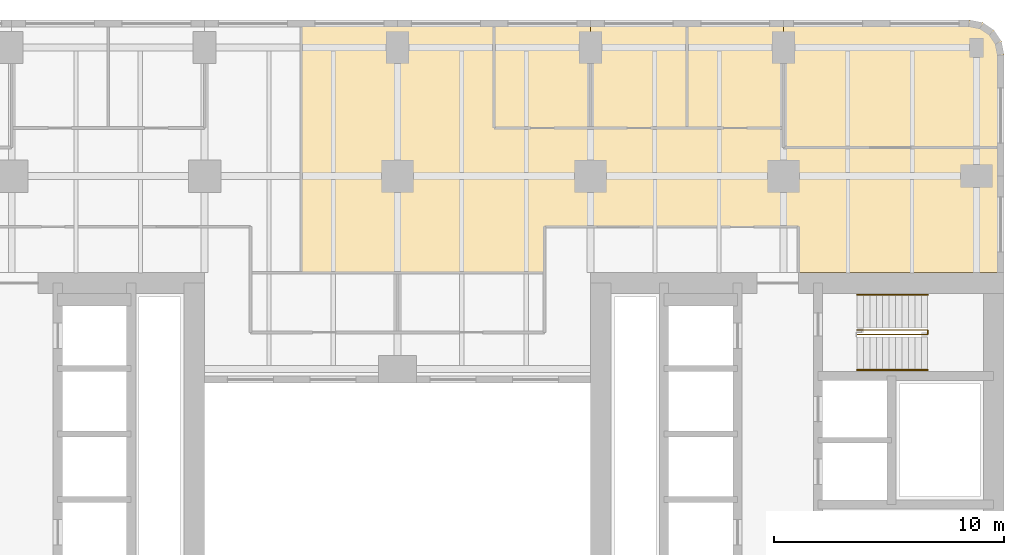
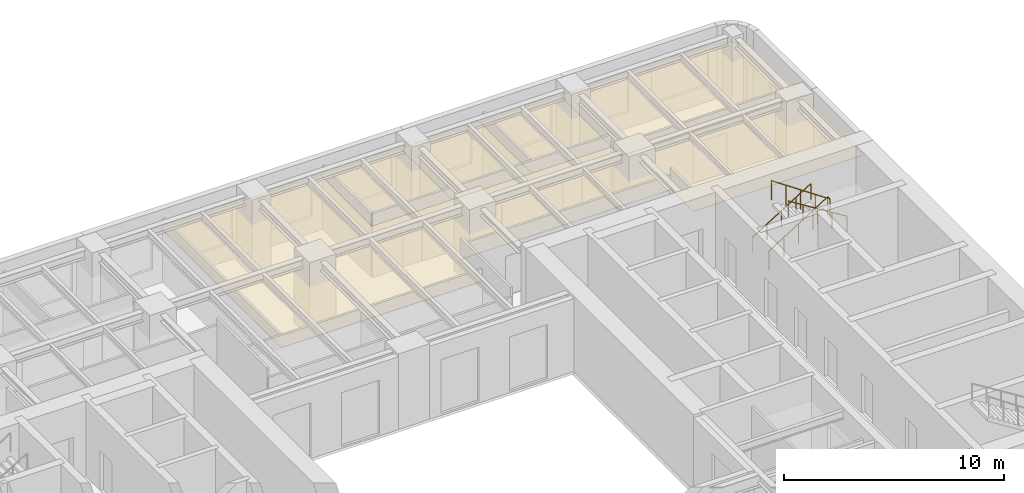
# One storey, part 11 of 11: 5 coverings, 3 railings.
"""IFC4 building model written with IfcOpenShell, lengths in metres."""

from ifc_helpers import new_model, si_unit, direction, frame, origin, origin_2d, place, context, subcontext, project, spatial, polyline, circle, outline, extrude, material, layer, layer_set, type_object, element, save


model = new_model("IFC4")

# Units and contexts
model_context = context("Model", 3, precision=1e-05, world=origin(), true_north=direction((0.0, 1.0)))
body_context = subcontext(model_context, "Body", "Model", "MODEL_VIEW")
ifc_project = project(units=[si_unit("LENGTHUNIT", "METRE"), si_unit("AREAUNIT", "SQUARE_METRE"), si_unit("VOLUMEUNIT", "CUBIC_METRE"), si_unit("PLANEANGLEUNIT", "RADIAN"), si_unit("MASSUNIT", "GRAM", prefix="KILO")], contexts=[model_context])

# Site, building, storey
site_placement = place(None, origin())
site = spatial("IfcSite", under=ifc_project, at=site_placement, CompositionType="ELEMENT")
building_placement = place(site_placement, origin())
building = spatial("IfcBuilding", under=site, at=building_placement, Name="Claustro Exchange Tower", CompositionType="ELEMENT")
storey_placement = place(building_placement, frame((0.0, 0.0, 151.199951171875)))
storey = spatial("IfcBuildingStorey", under=building, at=storey_placement, Name="L34", CompositionType="ELEMENT", Elevation=151.199951171875)

# Coverings
ifc_material_1 = material(Name="Gypsum board ceiling", Category="gypsum board")
ifc_layer = layer(ifc_material_1, 0.02490234375)
ifc_layer_set = layer_set([ifc_layer], Name="Gypsum board ceiling")
covering_type = type_object("IfcCoveringType", Name="CL2 plasterboard ceiling", PredefinedType="CEILING", material=ifc_layer_set)
covering_1_placement = place(storey_placement, frame((0.0, 0.0, 2.800048828125)))
element("IfcCovering", 1, at=covering_1_placement, inside=storey, type_object=covering_type, Name="Ceiling CL2 L34-19", PredefinedType="CEILING", context=body_context, shape_type="SweptSolid", body=[
    extrude(outline(polyline([(29.39990234375, 48.800048828125), (21.0, 48.800048828125), (21.0, 37.800048828125), (31.60009765625, 37.800048828125), (31.60009765625, 39.800048828125), (42.64990234375, 39.800048828125), (42.64990234375, 37.800048828125), (51.60009765625, 37.800048828125), (51.60009765625, 43.25), (42.0, 43.25), (42.0, 44.10009765625), (37.800048828125, 44.10009765625), (33.60009765625, 44.10009765625), (29.39990234375, 44.10009765625), (29.39990234375, 48.800048828125)])), origin(), (0.0, 0.0, 1.0), 0.02490234375),
])
covering_2_placement = place(storey_placement, frame((0.0, 0.0, 2.800048828125)))
element("IfcCovering", 2, at=covering_2_placement, inside=storey, type_object=covering_type, Name="Ceiling CL2 L34-21", PredefinedType="CEILING", context=body_context, shape_type="SweptSolid", body=[
    extrude(outline(polyline([(50.10009765625, 48.800048828125), (42.0, 48.800048828125), (42.0, 43.25), (51.60009765625, 43.25), (51.60009765625, 47.300048828125), (51.48583984375, 47.8740234375), (51.16064453125, 48.360595703125), (50.674072265625, 48.685791015625), (50.10009765625, 48.800048828125)])), origin(), (0.0, 0.0, 1.0), 0.02490234375),
])
covering_3_placement = place(storey_placement, frame((0.0, 0.0, 2.800048828125)))
element("IfcCovering", 3, at=covering_3_placement, inside=storey, type_object=covering_type, Name="Ceiling CL2 L34-24", PredefinedType="CEILING", context=body_context, shape_type="SweptSolid", body=[
    extrude(outline(polyline([(33.60009765625, 48.800048828125), (29.39990234375, 48.800048828125), (29.39990234375, 44.10009765625), (33.60009765625, 44.10009765625), (33.60009765625, 48.800048828125)])), origin(), (0.0, 0.0, 1.0), 0.02490234375),
])
covering_4_placement = place(storey_placement, frame((0.0, 0.0, 2.800048828125)))
element("IfcCovering", 4, at=covering_4_placement, inside=storey, type_object=covering_type, Name="Ceiling CL2 L34-25", PredefinedType="CEILING", context=body_context, shape_type="SweptSolid", body=[
    extrude(outline(polyline([(37.800048828125, 48.800048828125), (33.60009765625, 48.800048828125), (33.60009765625, 44.10009765625), (37.800048828125, 44.10009765625), (37.800048828125, 48.800048828125)])), origin(), (0.0, 0.0, 1.0), 0.02490234375),
])
covering_5_placement = place(storey_placement, frame((0.0, 0.0, 2.800048828125)))
element("IfcCovering", 5, at=covering_5_placement, inside=storey, type_object=covering_type, Name="Ceiling CL2 L34-26", PredefinedType="CEILING", context=body_context, shape_type="SweptSolid", body=[
    extrude(outline(polyline([(42.0, 48.800048828125), (37.800048828125, 48.800048828125), (37.800048828125, 44.10009765625), (42.0, 44.10009765625), (42.0, 48.800048828125)])), origin(), (0.0, 0.0, 1.0), 0.02490234375),
])

# Railings
ifc_material_2 = material(Name="Steel balustrade, painted", Category="steel")
railing_type_1 = type_object("IfcRailingType", Name="GR2 1100 steel stair guard", PredefinedType="GUARDRAIL", material=ifc_material_2)
railing_1_placement = place(storey_placement, frame((45.199951171875, 35.300048828125, 0.175048828125)))
element("IfcRailing", 6, at=railing_1_placement, inside=storey, type_object=railing_type_1, Name="Stair well guard GR2 stair STEB L34", PredefinedType="GUARDRAIL", context=body_context, shape_type="SweptSolid", body=[
    extrude(circle(Radius=0.02392578125, at=origin_2d()), frame((0.0, 0.0, 1.076171875), z_axis=(0.847998304005, 0.0, 0.529998940003), x_axis=(0.0, 1.0, 0.0)), (0.0, 0.0, 1.0), 3.632080078125),
    extrude(circle(Radius=0.02392578125, at=origin_2d()), frame((3.080078125, 0.0, 3.0009765625), z_axis=(0.0, -1.0, 0.0), x_axis=(1.0, 0.0, 0.0)), (0.0, 0.0, 1.0), 0.199951171875),
    extrude(circle(Radius=0.02392578125, at=origin_2d()), frame((3.080078125, -0.199951171875, 3.0009765625), z_axis=(-0.826252282691, 0.0, 0.563300244406), x_axis=(0.0, -1.0, 0.0)), (0.0, 0.0, 1.0), 3.727783203125),
    extrude(circle(Radius=0.02099609375, at=origin_2d()), origin(), (0.0, 0.0, 1.0), 1.052001953125),
    extrude(circle(Radius=0.02099609375, at=origin_2d()), frame((0.77001953125, 0.0, 0.481201171875)), (0.0, 0.0, 1.0), 1.052001953125),
    extrude(circle(Radius=0.02099609375, at=origin_2d()), frame((1.5400390625, 0.0, 0.96240234375)), (0.0, 0.0, 1.0), 1.052001953125),
    extrude(circle(Radius=0.02099609375, at=origin_2d()), frame((2.31005859375, 0.0, 1.44384765625)), (0.0, 0.0, 1.0), 1.052001953125),
    extrude(circle(Radius=0.02099609375, at=origin_2d()), frame((3.080078125, 0.0, 1.925048828125)), (0.0, 0.0, 1.0), 1.052001953125),
    extrude(circle(Radius=0.02099609375, at=origin_2d()), frame((3.080078125, -0.199951171875, 1.925048828125)), (0.0, 0.0, 1.0), 1.052001953125),
    extrude(circle(Radius=0.02099609375, at=origin_2d()), frame((2.31005859375, -0.199951171875, 2.449951171875)), (0.0, 0.0, 1.0), 1.052001953125),
    extrude(circle(Radius=0.02099609375, at=origin_2d()), frame((1.5400390625, -0.199951171875, 2.97509765625)), (0.0, 0.0, 1.0), 1.052001953125),
    extrude(circle(Radius=0.02099609375, at=origin_2d()), frame((0.77001953125, -0.199951171875, 3.5)), (0.0, 0.0, 1.0), 1.052001953125),
    extrude(circle(Radius=0.02099609375, at=origin_2d()), frame((0.0, -0.199951171875, 4.02490234375)), (0.0, 0.0, 1.0), 1.052001953125),
])
ifc_material_3 = material(Name="Stainless steel tube", Category="steel")
railing_type_2 = type_object("IfcRailingType", Name="HR1 900 stair handrail", PredefinedType="HANDRAIL", material=ifc_material_3)
railing_2_placement = place(storey_placement, frame((45.199951171875, 36.840087890625, 0.175048828125)))
element("IfcRailing", 7, at=railing_2_placement, inside=storey, type_object=railing_type_2, Name="Handrail HR1 stair STEB L34", PredefinedType="HANDRAIL", context=body_context, shape_type="SweptSolid", body=[
    extrude(circle(Radius=0.02392578125, at=origin_2d()), frame((0.0, 0.0, 0.8759765625), z_axis=(0.847998304005, 0.0, 0.529998940003), x_axis=(0.0, 1.0, 0.0)), (0.0, 0.0, 1.0), 3.632080078125),
    extrude(circle(Radius=0.02099609375, at=origin_2d()), origin(), (0.0, 0.0, 1.0), 0.851806640625),
    extrude(circle(Radius=0.02099609375, at=origin_2d()), frame((0.77001953125, 0.0, 0.481201171875)), (0.0, 0.0, 1.0), 0.851806640625),
    extrude(circle(Radius=0.02099609375, at=origin_2d()), frame((1.5400390625, 0.0, 0.96240234375)), (0.0, 0.0, 1.0), 0.851806640625),
    extrude(circle(Radius=0.02099609375, at=origin_2d()), frame((2.31005859375, 0.0, 1.44384765625)), (0.0, 0.0, 1.0), 0.851806640625),
    extrude(circle(Radius=0.02099609375, at=origin_2d()), frame((3.080078125, 0.0, 1.925048828125)), (0.0, 0.0, 1.0), 0.851806640625),
])
railing_3_placement = place(storey_placement, frame((48.280029296875, 33.56005859375, 2.275146484375)))
element("IfcRailing", 8, at=railing_3_placement, inside=storey, type_object=railing_type_2, Name="Handrail HR1 stair STEB L34", PredefinedType="HANDRAIL", context=body_context, shape_type="SweptSolid", body=[
    extrude(circle(Radius=0.02392578125, at=origin_2d()), frame((0.0, 0.0, 0.8759765625), z_axis=(-0.848028513186, 0.0, 0.529950602248), x_axis=(0.0, -1.0, 0.0)), (0.0, 0.0, 1.0), 3.632080078125),
    extrude(circle(Radius=0.02099609375, at=origin_2d()), origin(), (0.0, 0.0, 1.0), 0.851806640625),
    extrude(circle(Radius=0.02099609375, at=origin_2d()), frame((-0.77001953125, 0.0, 0.481201171875)), (0.0, 0.0, 1.0), 0.851806640625),
    extrude(circle(Radius=0.02099609375, at=origin_2d()), frame((-1.5400390625, 0.0, 0.96240234375)), (0.0, 0.0, 1.0), 0.851806640625),
    extrude(circle(Radius=0.02099609375, at=origin_2d()), frame((-2.31005859375, 0.0, 1.443603515625)), (0.0, 0.0, 1.0), 0.851806640625),
    extrude(circle(Radius=0.02099609375, at=origin_2d()), frame((-3.080078125, 0.0, 1.9248046875)), (0.0, 0.0, 1.0), 0.851806640625),
])

save(model, "model.ifc")
